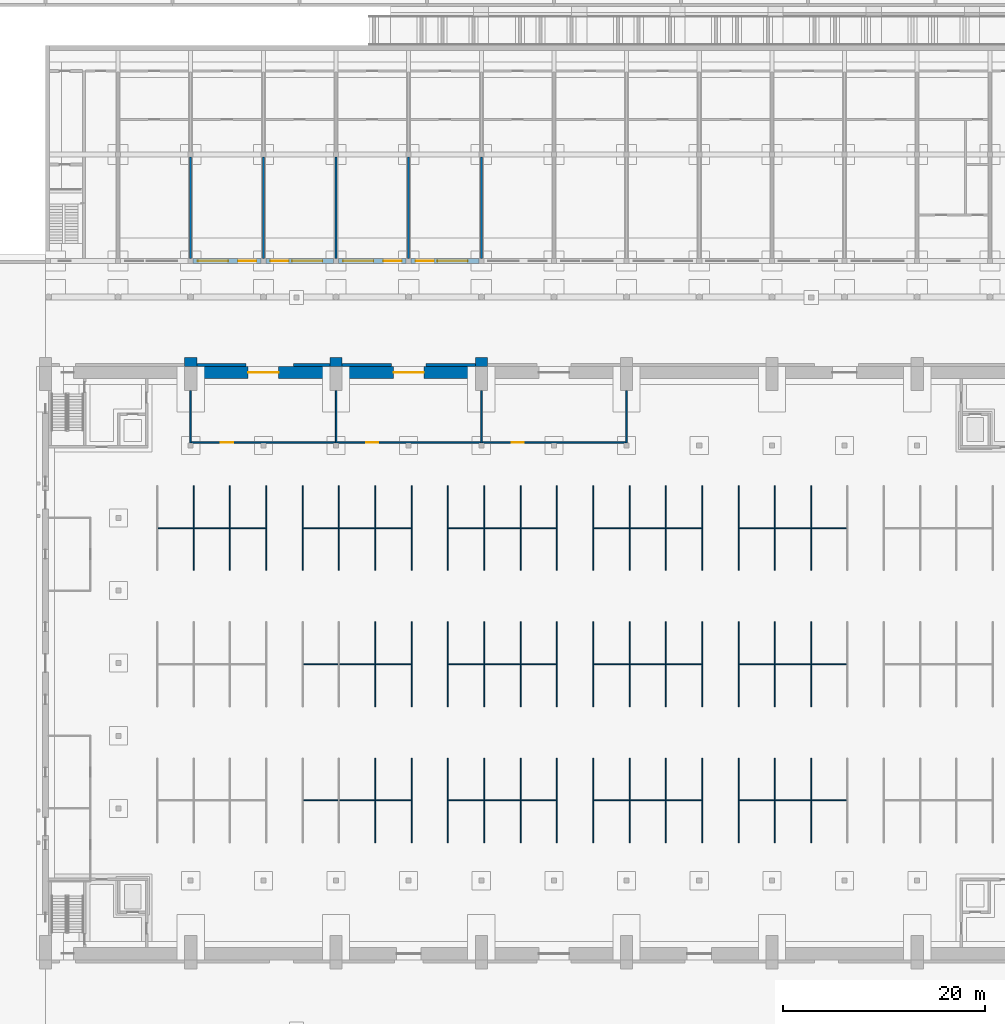
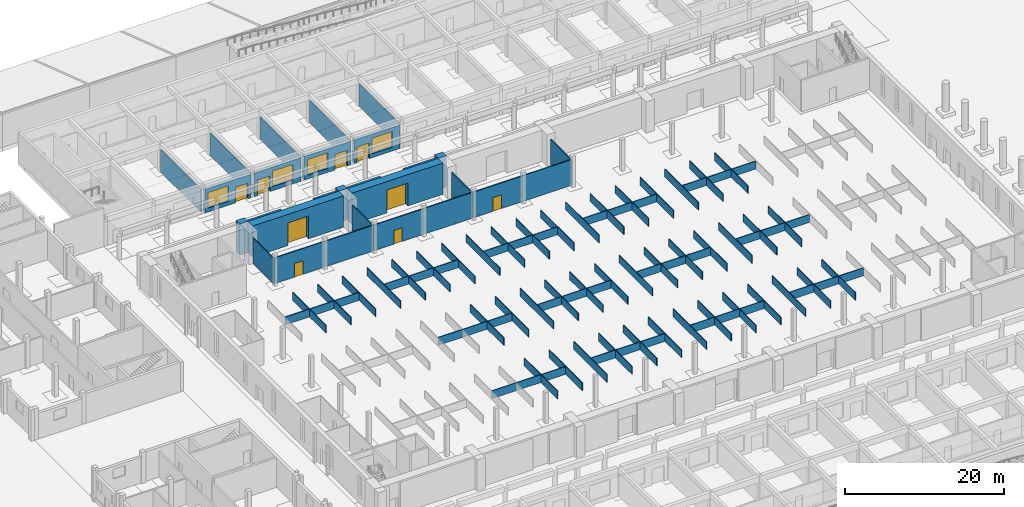
# One storey, part 41 of 73: 82 walls, 9 doors, 4 windows, 13 openings.
"""IFC4 building model written with IfcOpenShell, lengths in metres."""

from ifc_helpers import new_model, si_unit, direction, frame, frame_2d, origin, place, context, subcontext, project, spatial, rectangle, extrude, material, layer, layer_set, type_object, element, fill, save


model = new_model("IFC4")

# Units and contexts
model_context = context("Model", 3, precision=1e-05, world=origin(), true_north=direction((0.0, 1.0)))
body_context = subcontext(model_context, "Body", "Model", "MODEL_VIEW")
ifc_project = project(units=[si_unit("LENGTHUNIT", "METRE"), si_unit("AREAUNIT", "SQUARE_METRE"), si_unit("VOLUMEUNIT", "CUBIC_METRE"), si_unit("PLANEANGLEUNIT", "RADIAN"), si_unit("MASSUNIT", "GRAM", prefix="KILO")], contexts=[model_context])

# Site, building, storey
site_placement = place(None, origin())
site = spatial("IfcSite", under=ifc_project, at=site_placement, CompositionType="ELEMENT")
building_placement = place(site_placement, origin())
building = spatial("IfcBuilding", under=site, at=building_placement, Name="Alderwick Market Hall", CompositionType="ELEMENT")
storey_placement = place(building_placement, origin())
storey = spatial("IfcBuildingStorey", under=building, at=storey_placement, Name="LG", CompositionType="ELEMENT", Elevation=0.0)

# Wall, openings, door, window
ifc_material_1 = material(Name="Cast stone 5000 psi", Category="masonry")
ifc_layer_1 = layer(ifc_material_1, 0.5)
ifc_layer_set_1 = layer_set([ifc_layer_1], Name="Cast stone 5000 psi")
wall_type_1 = type_object("IfcWallType", Name="A Cast Stone Shopfront Wall 500", PredefinedType="SOLIDWALL", material=ifc_layer_set_1)
wall_1_placement = place(storey_placement, frame((65.050048828125, 119.050048828125, 0.0), z_axis=(0.0, 0.0, 1.0), x_axis=(1.0, 0.0, 0.0)))
wall_1 = element("IfcWall", 1, at=wall_1_placement, inside=storey, type_object=wall_type_1, Name="A.N.wall.002", PredefinedType="SOLIDWALL", context=body_context, shape_type="SweptSolid", body=[
    extrude(rectangle(XDim=6.699951171875, YDim=0.5, at=frame_2d((3.35009765625, 0.0))), origin(), (0.0, 0.0, 1.0), 3.60009765625),
])
opening_1_placement = place(wall_1_placement, frame((4.449951171875, 0.0, 0.0)))
opening_1 = element("IfcOpeningElement", 2, at=opening_1_placement, cuts=wall_1, Name="Opening A-D004", PredefinedType="OPENING", context=body_context, shape_type="SweptSolid", body=[
    extrude(rectangle(XDim=1.800048828125, YDim=2.39990234375, at=frame_2d((0.89990234375, 1.199951171875))), frame((0.0, 0.260009765625, 0.0), z_axis=(0.0, -1.0, 0.0), x_axis=(1.0, 0.0, 0.0)), (0.0, 0.0, 1.0), 0.52001953125),
])
opening_2_placement = place(wall_1_placement, frame((0.449951171875, 0.0, 0.60009765625)))
opening_2 = element("IfcOpeningElement", 3, at=opening_2_placement, cuts=wall_1, Name="Opening A-W002", PredefinedType="OPENING", context=body_context, shape_type="SweptSolid", body=[
    extrude(rectangle(XDim=3.0, YDim=2.39990234375, at=frame_2d((1.5, 1.199951171875))), frame((0.0, 0.260009765625, 0.0), z_axis=(0.0, -1.0, 0.0), x_axis=(1.0, 0.0, 0.0)), (0.0, 0.0, 1.0), 0.52001953125),
])
ifc_material_2 = material(Name="Aluminium frame and glass", Category="aluminium")
door_type_1 = type_object("IfcDoorType", Name="A Shop Double Door 1800x2400", OperationType="DOUBLE_DOOR_DOUBLE_SWING", PredefinedType="DOOR", material=ifc_material_2)
door_1_placement = place(opening_1_placement, origin())
door_1 = element("IfcDoor", 4, at=door_1_placement, inside=storey, type_object=door_type_1, Name="Delicatessen Shop entrance", OperationType="DOUBLE_DOOR_DOUBLE_SWING", OverallHeight=2.39990234375, OverallWidth=1.800048828125, PredefinedType="DOOR", context=body_context, shape_type="SweptSolid", body=[
    extrude(rectangle(XDim=1.800048828125, YDim=2.39990234375, at=frame_2d((0.89990234375, 1.199951171875))), frame((0.0, 0.02490234375, 0.0), z_axis=(0.0, -1.0, 0.0), x_axis=(1.0, 0.0, 0.0)), (0.0, 0.0, 1.0), 0.050048828125),
])
fill(opening_1, door_1)
ifc_material_3 = material(Name="Aluminium frame", Category="aluminium")
window_type = type_object("IfcWindowType", Name="A Shopfront Window 3000x2400", PartitioningType="SINGLE_PANEL", PredefinedType="WINDOW", material=ifc_material_3)
window_1_placement = place(opening_2_placement, origin())
window_1 = element("IfcWindow", 5, at=window_1_placement, inside=storey, type_object=window_type, Name="Window A-W002", OverallHeight=2.39990234375, OverallWidth=3.0, PartitioningType="SINGLE_PANEL", PredefinedType="WINDOW", context=body_context, shape_type="SweptSolid", body=[
    extrude(rectangle(XDim=3.0, YDim=2.39990234375, at=frame_2d((1.5, 1.199951171875))), frame((0.0, 0.030029296875, 0.0), z_axis=(0.0, -1.0, 0.0), x_axis=(1.0, 0.0, 0.0)), (0.0, 0.0, 1.0), 0.06005859375),
])
fill(opening_2, window_1)

wall_2_placement = place(storey_placement, frame((72.25, 119.050048828125, 0.0), z_axis=(0.0, 0.0, 1.0), x_axis=(1.0, 0.0, 0.0)))
wall_2 = element("IfcWall", 6, at=wall_2_placement, inside=storey, type_object=wall_type_1, Name="A.N.wall.003", PredefinedType="SOLIDWALL", context=body_context, shape_type="SweptSolid", body=[
    extrude(rectangle(XDim=6.699951171875, YDim=0.5, at=frame_2d((3.35009765625, 0.0))), origin(), (0.0, 0.0, 1.0), 3.60009765625),
])
opening_3_placement = place(wall_2_placement, frame((0.449951171875, 0.0, 0.0)))
opening_3 = element("IfcOpeningElement", 7, at=opening_3_placement, cuts=wall_2, Name="Opening A-D005", PredefinedType="OPENING", context=body_context, shape_type="SweptSolid", body=[
    extrude(rectangle(XDim=1.800048828125, YDim=2.39990234375, at=frame_2d((0.89990234375, 1.199951171875))), frame((0.0, 0.260009765625, 0.0), z_axis=(0.0, -1.0, 0.0), x_axis=(1.0, 0.0, 0.0)), (0.0, 0.0, 1.0), 0.52001953125),
])
opening_4_placement = place(wall_2_placement, frame((2.60009765625, 0.0, 0.60009765625)))
opening_4 = element("IfcOpeningElement", 8, at=opening_4_placement, cuts=wall_2, Name="Opening A-W003", PredefinedType="OPENING", context=body_context, shape_type="SweptSolid", body=[
    extrude(rectangle(XDim=3.0, YDim=2.39990234375, at=frame_2d((1.5, 1.199951171875))), frame((0.0, 0.260009765625, 0.0), z_axis=(0.0, -1.0, 0.0), x_axis=(1.0, 0.0, 0.0)), (0.0, 0.0, 1.0), 0.52001953125),
])
door_2_placement = place(opening_3_placement, origin())
door_2 = element("IfcDoor", 9, at=door_2_placement, inside=storey, type_object=door_type_1, Name="Kitchenware Shop entrance", OperationType="DOUBLE_DOOR_DOUBLE_SWING", OverallHeight=2.39990234375, OverallWidth=1.800048828125, PredefinedType="DOOR", context=body_context, shape_type="SweptSolid", body=[
    extrude(rectangle(XDim=1.800048828125, YDim=2.39990234375, at=frame_2d((0.89990234375, 1.199951171875))), frame((0.0, 0.02490234375, 0.0), z_axis=(0.0, -1.0, 0.0), x_axis=(1.0, 0.0, 0.0)), (0.0, 0.0, 1.0), 0.050048828125),
])
fill(opening_3, door_2)
window_2_placement = place(opening_4_placement, origin())
window_2 = element("IfcWindow", 10, at=window_2_placement, inside=storey, type_object=window_type, Name="Window A-W003", OverallHeight=2.39990234375, OverallWidth=3.0, PartitioningType="SINGLE_PANEL", PredefinedType="WINDOW", context=body_context, shape_type="SweptSolid", body=[
    extrude(rectangle(XDim=3.0, YDim=2.39990234375, at=frame_2d((1.5, 1.199951171875))), frame((0.0, 0.030029296875, 0.0), z_axis=(0.0, -1.0, 0.0), x_axis=(1.0, 0.0, 0.0)), (0.0, 0.0, 1.0), 0.06005859375),
])
fill(opening_4, window_2)

wall_3_placement = place(storey_placement, frame((79.449951171875, 119.050048828125, 0.0), z_axis=(0.0, 0.0, 1.0), x_axis=(1.0, 0.0, 0.0)))
wall_3 = element("IfcWall", 11, at=wall_3_placement, inside=storey, type_object=wall_type_1, Name="A.N.wall.004", PredefinedType="SOLIDWALL", context=body_context, shape_type="SweptSolid", body=[
    extrude(rectangle(XDim=6.699951171875, YDim=0.5, at=frame_2d((3.35009765625, 0.0))), origin(), (0.0, 0.0, 1.0), 3.60009765625),
])
opening_5_placement = place(wall_3_placement, frame((4.449951171875, 0.0, 0.0)))
opening_5 = element("IfcOpeningElement", 12, at=opening_5_placement, cuts=wall_3, Name="Opening A-D006", PredefinedType="OPENING", context=body_context, shape_type="SweptSolid", body=[
    extrude(rectangle(XDim=1.800048828125, YDim=2.39990234375, at=frame_2d((0.89990234375, 1.199951171875))), frame((0.0, 0.260009765625, 0.0), z_axis=(0.0, -1.0, 0.0), x_axis=(1.0, 0.0, 0.0)), (0.0, 0.0, 1.0), 0.52001953125),
])
opening_6_placement = place(wall_3_placement, frame((0.449951171875, 0.0, 0.60009765625)))
opening_6 = element("IfcOpeningElement", 13, at=opening_6_placement, cuts=wall_3, Name="Opening A-W004", PredefinedType="OPENING", context=body_context, shape_type="SweptSolid", body=[
    extrude(rectangle(XDim=3.0, YDim=2.39990234375, at=frame_2d((1.5, 1.199951171875))), frame((0.0, 0.260009765625, 0.0), z_axis=(0.0, -1.0, 0.0), x_axis=(1.0, 0.0, 0.0)), (0.0, 0.0, 1.0), 0.52001953125),
])
door_3_placement = place(opening_5_placement, origin())
door_3 = element("IfcDoor", 14, at=door_3_placement, inside=storey, type_object=door_type_1, Name="Bookshop entrance", OperationType="DOUBLE_DOOR_DOUBLE_SWING", OverallHeight=2.39990234375, OverallWidth=1.800048828125, PredefinedType="DOOR", context=body_context, shape_type="SweptSolid", body=[
    extrude(rectangle(XDim=1.800048828125, YDim=2.39990234375, at=frame_2d((0.89990234375, 1.199951171875))), frame((0.0, 0.02490234375, 0.0), z_axis=(0.0, -1.0, 0.0), x_axis=(1.0, 0.0, 0.0)), (0.0, 0.0, 1.0), 0.050048828125),
])
fill(opening_5, door_3)
window_3_placement = place(opening_6_placement, origin())
window_3 = element("IfcWindow", 15, at=window_3_placement, inside=storey, type_object=window_type, Name="Window A-W004", OverallHeight=2.39990234375, OverallWidth=3.0, PartitioningType="SINGLE_PANEL", PredefinedType="WINDOW", context=body_context, shape_type="SweptSolid", body=[
    extrude(rectangle(XDim=3.0, YDim=2.39990234375, at=frame_2d((1.5, 1.199951171875))), frame((0.0, 0.030029296875, 0.0), z_axis=(0.0, -1.0, 0.0), x_axis=(1.0, 0.0, 0.0)), (0.0, 0.0, 1.0), 0.06005859375),
])
fill(opening_6, window_3)

wall_4_placement = place(storey_placement, frame((86.64990234375, 119.050048828125, 0.0), z_axis=(0.0, 0.0, 1.0), x_axis=(1.0, 0.0, 0.0)))
wall_4 = element("IfcWall", 16, at=wall_4_placement, inside=storey, type_object=wall_type_1, Name="A.N.wall.005", PredefinedType="SOLIDWALL", context=body_context, shape_type="SweptSolid", body=[
    extrude(rectangle(XDim=6.7001953125, YDim=0.5, at=frame_2d((3.35009765625, 0.0))), origin(), (0.0, 0.0, 1.0), 3.60009765625),
])
opening_7_placement = place(wall_4_placement, frame((0.449951171875, 0.0, 0.0)))
opening_7 = element("IfcOpeningElement", 17, at=opening_7_placement, cuts=wall_4, Name="Opening A-D007", PredefinedType="OPENING", context=body_context, shape_type="SweptSolid", body=[
    extrude(rectangle(XDim=1.800048828125, YDim=2.39990234375, at=frame_2d((0.89990234375, 1.199951171875))), frame((0.0, 0.260009765625, 0.0), z_axis=(0.0, -1.0, 0.0), x_axis=(1.0, 0.0, 0.0)), (0.0, 0.0, 1.0), 0.52001953125),
])
opening_8_placement = place(wall_4_placement, frame((2.60009765625, 0.0, 0.60009765625)))
opening_8 = element("IfcOpeningElement", 18, at=opening_8_placement, cuts=wall_4, Name="Opening A-W005", PredefinedType="OPENING", context=body_context, shape_type="SweptSolid", body=[
    extrude(rectangle(XDim=3.0, YDim=2.39990234375, at=frame_2d((1.5, 1.199951171875))), frame((0.0, 0.260009765625, 0.0), z_axis=(0.0, -1.0, 0.0), x_axis=(1.0, 0.0, 0.0)), (0.0, 0.0, 1.0), 0.52001953125),
])
door_4_placement = place(opening_7_placement, origin())
door_4 = element("IfcDoor", 19, at=door_4_placement, inside=storey, type_object=door_type_1, Name="Florist Shop entrance", OperationType="DOUBLE_DOOR_DOUBLE_SWING", OverallHeight=2.39990234375, OverallWidth=1.800048828125, PredefinedType="DOOR", context=body_context, shape_type="SweptSolid", body=[
    extrude(rectangle(XDim=1.800048828125, YDim=2.39990234375, at=frame_2d((0.89990234375, 1.199951171875))), frame((0.0, 0.02490234375, 0.0), z_axis=(0.0, -1.0, 0.0), x_axis=(1.0, 0.0, 0.0)), (0.0, 0.0, 1.0), 0.050048828125),
])
fill(opening_7, door_4)
window_4_placement = place(opening_8_placement, origin())
window_4 = element("IfcWindow", 20, at=window_4_placement, inside=storey, type_object=window_type, Name="Window A-W005", OverallHeight=2.39990234375, OverallWidth=3.0, PartitioningType="SINGLE_PANEL", PredefinedType="WINDOW", context=body_context, shape_type="SweptSolid", body=[
    extrude(rectangle(XDim=3.0, YDim=2.39990234375, at=frame_2d((1.5, 1.199951171875))), frame((0.0, 0.030029296875, 0.0), z_axis=(0.0, -1.0, 0.0), x_axis=(1.0, 0.0, 0.0)), (0.0, 0.0, 1.0), 0.06005859375),
])
fill(opening_8, window_4)

# Walls
ifc_material_4 = material(Name="Concrete masonry 3000 psi", Category="masonry")
ifc_layer_2 = layer(ifc_material_4, 0.199951171875)
ifc_layer_set_2 = layer_set([ifc_layer_2], Name="Concrete masonry 3000 psi")
wall_type_2 = type_object("IfcWallType", Name="A Masonry Partition 200", PredefinedType="PARTITIONING", material=ifc_layer_set_2)
for number, where, z_axis, x_axis, name in (
    (21, (64.800048828125, 119.300048828125, 0.0), (0.0, 0.0, 1.0), (0.0, 1.0, 0.0), "A.N.wall.027"),
    (22, (72.0, 119.300048828125, 0.0), (0.0, 0.0, 1.0), (0.0, 1.0, 0.0), "A.N.wall.029"),
    (23, (79.199951171875, 119.300048828125, 0.0), (0.0, 0.0, 1.0), (0.0, 1.0, 0.0), "A.N.wall.031"),
    (24, (86.39990234375, 119.300048828125, 0.0), (0.0, 0.0, 1.0), (0.0, 1.0, 0.0), "A.N.wall.033"),
    (25, (93.60009765625, 119.300048828125, 0.0), (0.0, 0.0, 1.0), (0.0, 1.0, 0.0), "A.N.wall.035"),
):
    element("IfcWall", number, at=place(storey_placement, frame(where, z_axis=z_axis, x_axis=x_axis)), inside=storey, type_object=wall_type_2, Name=name, PredefinedType="PARTITIONING", context=body_context, shape_type="SweptSolid", body=[
        extrude(rectangle(XDim=10.050048828125, YDim=0.199951171875, at=frame_2d((5.02490234375, 0.0))), origin(), (0.0, 0.0, 1.0), 3.5),
    ])
ifc_material_5 = material(Name="Cast stone 5000 psi (f'c 35 MPa), ASTM C1364", Category="masonry")
ifc_layer_3 = layer(ifc_material_5, 0.300048828125)
ifc_layer_set_3 = layer_set([ifc_layer_3], Name="Cast stone 5000 psi (f'c 35 MPa), ASTM C1364")
wall_type_3 = type_object("IfcWallType", Name="H Base course 300", PredefinedType="SOLIDWALL", material=ifc_layer_set_3)
wall_5_placement = place(storey_placement, frame((65.39990234375, 108.75, 0.0), z_axis=(0.0, 0.0, 1.0), x_axis=(1.0, 0.0, 0.0)))
element("IfcWall", 26, at=wall_5_placement, inside=storey, type_object=wall_type_3, Name="Base course N2 plinth", PredefinedType="SOLIDWALL", context=body_context, shape_type="SweptSolid", body=[
    extrude(rectangle(XDim=4.900146484375, YDim=0.300048828125, at=frame_2d((2.4501953125, 0.0))), origin(), (0.0, 0.0, 1.0), 4.800048828125),
])
wall_6_placement = place(storey_placement, frame((75.0, 108.75, 0.0), z_axis=(0.0, 0.0, 1.0), x_axis=(1.0, 0.0, 0.0)))
element("IfcWall", 27, at=wall_6_placement, inside=storey, type_object=wall_type_3, Name="Base course N2 plinth", PredefinedType="SOLIDWALL", context=body_context, shape_type="SweptSolid", body=[
    extrude(rectangle(XDim=3.60009765625, YDim=0.300048828125, at=frame_2d((1.800048828125, 0.0))), origin(), (0.0, 0.0, 1.0), 4.800048828125),
])
for number, where, z_axis, x_axis, name in (
    (28, (79.800048828125, 108.75, 0.0), (0.0, 0.0, 1.0), (1.0, 0.0, 0.0), "Base course N3 plinth"),
    (29, (88.10009765625, 108.75, 0.0), (0.0, 0.0, 1.0), (1.0, 0.0, 0.0), "Base course N3 plinth"),
):
    element("IfcWall", number, at=place(storey_placement, frame(where, z_axis=z_axis, x_axis=x_axis)), inside=storey, type_object=wall_type_3, Name=name, PredefinedType="SOLIDWALL", context=body_context, shape_type="SweptSolid", body=[
        extrude(rectangle(XDim=4.89990234375, YDim=0.300048828125, at=frame_2d((2.449951171875, 0.0))), origin(), (0.0, 0.0, 1.0), 4.800048828125),
    ])
ifc_material_6 = material(Name="Face brick masonry, ASTM C216 grade SW (f'm 17 MPa)", Category="masonry")
ifc_layer_4 = layer(ifc_material_6, 0.89990234375)
ifc_layer_set_4 = layer_set([ifc_layer_4], Name="Face brick masonry, ASTM C216 grade SW (f'm 17 MPa)")
wall_type_4 = type_object("IfcWallType", Name="H Buttress pier 900", PredefinedType="SOLIDWALL", material=ifc_layer_set_4)
for number, where, z_axis, x_axis, name in (
    (30, (64.199951171875, 109.050048828125, 0.0), (0.0, 0.0, 1.0), (1.0, 0.0, 0.0), "Buttress pier N2"),
    (31, (78.60009765625, 109.050048828125, 0.0), (0.0, 0.0, 1.0), (1.0, 0.0, 0.0), "Buttress pier N3"),
    (32, (93.0, 109.050048828125, 0.0), (0.0, 0.0, 1.0), (1.0, 0.0, 0.0), "Buttress pier N4"),
):
    element("IfcWall", number, at=place(storey_placement, frame(where, z_axis=z_axis, x_axis=x_axis)), inside=storey, type_object=wall_type_4, Name=name, PredefinedType="SOLIDWALL", context=body_context, shape_type="SweptSolid", body=[
        extrude(rectangle(XDim=1.199951171875, YDim=0.89990234375, at=frame_2d((0.60009765625, 0.0))), origin(), (0.0, 0.0, 1.0), 4.800048828125),
    ])
ifc_material_7 = material(Name="Insulated metal panel")
ifc_layer_5 = layer(ifc_material_7, 0.14990234375)
ifc_layer_set_5 = layer_set([ifc_layer_5], Name="Insulated metal panel")
wall_type_5 = type_object("IfcWallType", Name="H Cold store wall 150", PredefinedType="PARTITIONING", material=ifc_layer_set_5)
for number, where, z_axis, x_axis, name in (
    (33, (64.800048828125, 106.199951171875, 0.0), (0.0, 0.0, 1.0), (0.0, -1.0, 0.0), "Partition"),
    (34, (79.199951171875, 106.199951171875, 0.0), (0.0, 0.0, 1.0), (0.0, -1.0, 0.0), "Partition"),
    (35, (93.60009765625, 106.199951171875, 0.0), (0.0, 0.0, 1.0), (0.0, -1.0, 0.0), "Partition"),
    (36, (108.0, 106.199951171875, 0.0), (0.0, 0.0, 1.0), (0.0, -1.0, 0.0), "Partition"),
):
    element("IfcWall", number, at=place(storey_placement, frame(where, z_axis=z_axis, x_axis=x_axis)), inside=storey, type_object=wall_type_5, Name=name, PredefinedType="PARTITIONING", context=body_context, shape_type="SweptSolid", body=[
        extrude(rectangle(XDim=5.18994140625, YDim=0.14990234375, at=frame_2d((2.594970703125, 0.0))), origin(), (0.0, 0.0, 1.0), 3.949951171875),
    ])

# Wall, opening, door
wall_7_placement = place(storey_placement, frame((64.875, 101.0849609375, 0.0), z_axis=(0.0, 0.0, 1.0), x_axis=(1.0, 0.0, 0.0)))
wall_7 = element("IfcWall", 37, at=wall_7_placement, inside=storey, type_object=wall_type_5, Name="Partition", PredefinedType="PARTITIONING", context=body_context, shape_type="SweptSolid", body=[
    extrude(rectangle(XDim=14.25, YDim=0.14990234375, at=frame_2d((7.125, 0.0))), origin(), (0.0, 0.0, 1.0), 3.949951171875),
])
opening_9_placement = place(wall_7_placement, frame((2.925048828125, 0.0, 0.0)))
opening_9 = element("IfcOpeningElement", 38, at=opening_9_placement, cuts=wall_7, Name="Opening H-D054", PredefinedType="OPENING", context=body_context, shape_type="SweptSolid", body=[
    extrude(rectangle(XDim=1.199951171875, YDim=2.10009765625, at=frame_2d((0.60009765625, 1.050048828125))), frame((0.0, 0.0849609375, 0.0), z_axis=(0.0, -1.0, 0.0), x_axis=(1.0, 0.0, 0.0)), (0.0, 0.0, 1.0), 0.169921875),
])
ifc_material_8 = material(Name="Insulated steel", Category="steel")
door_type_2 = type_object("IfcDoorType", Name="H Cold store door 1200x2100", OperationType="SINGLE_SWING_LEFT", PredefinedType="DOOR", material=ifc_material_8)
door_5_placement = place(opening_9_placement, origin())
door_5 = element("IfcDoor", 39, at=door_5_placement, inside=storey, type_object=door_type_2, Name="Door H-D054", OperationType="SINGLE_SWING_LEFT", OverallHeight=2.10009765625, OverallWidth=1.199951171875, PredefinedType="DOOR", context=body_context, shape_type="SweptSolid", body=[
    extrude(rectangle(XDim=1.199951171875, YDim=2.10009765625, at=frame_2d((0.60009765625, 1.050048828125))), frame((0.0, 0.02490234375, 0.0), z_axis=(0.0, -1.0, 0.0), x_axis=(1.0, 0.0, 0.0)), (0.0, 0.0, 1.0), 0.050048828125),
])
fill(opening_9, door_5)

wall_8_placement = place(storey_placement, frame((79.27490234375, 101.0849609375, 0.0), z_axis=(0.0, 0.0, 1.0), x_axis=(1.0, 0.0, 0.0)))
wall_8 = element("IfcWall", 40, at=wall_8_placement, inside=storey, type_object=wall_type_5, Name="Partition", PredefinedType="PARTITIONING", context=body_context, shape_type="SweptSolid", body=[
    extrude(rectangle(XDim=14.25, YDim=0.14990234375, at=frame_2d((7.125, 0.0))), origin(), (0.0, 0.0, 1.0), 3.949951171875),
])
opening_10_placement = place(wall_8_placement, frame((2.925048828125, 0.0, 0.0)))
opening_10 = element("IfcOpeningElement", 41, at=opening_10_placement, cuts=wall_8, Name="Opening H-D055", PredefinedType="OPENING", context=body_context, shape_type="SweptSolid", body=[
    extrude(rectangle(XDim=1.199951171875, YDim=2.10009765625, at=frame_2d((0.60009765625, 1.050048828125))), frame((0.0, 0.0849609375, 0.0), z_axis=(0.0, -1.0, 0.0), x_axis=(1.0, 0.0, 0.0)), (0.0, 0.0, 1.0), 0.169921875),
])
door_6_placement = place(opening_10_placement, origin())
door_6 = element("IfcDoor", 42, at=door_6_placement, inside=storey, type_object=door_type_2, Name="Door H-D055", OperationType="SINGLE_SWING_LEFT", OverallHeight=2.10009765625, OverallWidth=1.199951171875, PredefinedType="DOOR", context=body_context, shape_type="SweptSolid", body=[
    extrude(rectangle(XDim=1.199951171875, YDim=2.10009765625, at=frame_2d((0.60009765625, 1.050048828125))), frame((0.0, 0.02490234375, 0.0), z_axis=(0.0, -1.0, 0.0), x_axis=(1.0, 0.0, 0.0)), (0.0, 0.0, 1.0), 0.050048828125),
])
fill(opening_10, door_6)

wall_9_placement = place(storey_placement, frame((93.675048828125, 101.0849609375, 0.0), z_axis=(0.0, 0.0, 1.0), x_axis=(1.0, 0.0, 0.0)))
wall_9 = element("IfcWall", 43, at=wall_9_placement, inside=storey, type_object=wall_type_5, Name="Partition", PredefinedType="PARTITIONING", context=body_context, shape_type="SweptSolid", body=[
    extrude(rectangle(XDim=14.25, YDim=0.14990234375, at=frame_2d((7.125, 0.0))), origin(), (0.0, 0.0, 1.0), 3.949951171875),
])
opening_11_placement = place(wall_9_placement, frame((2.925048828125, 0.0, 0.0)))
opening_11 = element("IfcOpeningElement", 44, at=opening_11_placement, cuts=wall_9, Name="Opening H-D056", PredefinedType="OPENING", context=body_context, shape_type="SweptSolid", body=[
    extrude(rectangle(XDim=1.199951171875, YDim=2.10009765625, at=frame_2d((0.60009765625, 1.050048828125))), frame((0.0, 0.0849609375, 0.0), z_axis=(0.0, -1.0, 0.0), x_axis=(1.0, 0.0, 0.0)), (0.0, 0.0, 1.0), 0.169921875),
])
door_7_placement = place(opening_11_placement, origin())
door_7 = element("IfcDoor", 45, at=door_7_placement, inside=storey, type_object=door_type_2, Name="Door H-D056", OperationType="SINGLE_SWING_LEFT", OverallHeight=2.10009765625, OverallWidth=1.199951171875, PredefinedType="DOOR", context=body_context, shape_type="SweptSolid", body=[
    extrude(rectangle(XDim=1.199951171875, YDim=2.10009765625, at=frame_2d((0.60009765625, 1.050048828125))), frame((0.0, 0.02490234375, 0.0), z_axis=(0.0, -1.0, 0.0), x_axis=(1.0, 0.0, 0.0)), (0.0, 0.0, 1.0), 0.050048828125),
])
fill(opening_11, door_7)

ifc_material_9 = material(Name="Concrete 5000 psi (f'c 35 MPa)", Category="concrete")
ifc_layer_6 = layer(ifc_material_9, 1.199951171875)
ifc_layer_set_6 = layer_set([ifc_layer_6], Name="Concrete 5000 psi (f'c 35 MPa)")
wall_type_6 = type_object("IfcWallType", Name="H Long wall 1200", PredefinedType="SOLIDWALL", material=ifc_layer_set_6)
wall_10_placement = place(storey_placement, frame((65.39990234375, 108.0, 0.0), z_axis=(0.0, 0.0, 1.0), x_axis=(1.0, 0.0, 0.0)))
wall_10 = element("IfcWall", 46, at=wall_10_placement, inside=storey, type_object=wall_type_6, Name="Long wall N LG 2", PredefinedType="SOLIDWALL", context=body_context, shape_type="SweptSolid", body=[
    extrude(rectangle(XDim=13.2001953125, YDim=1.199951171875, at=frame_2d((6.60009765625, 0.0))), origin(), (0.0, 0.0, 1.0), 4.800048828125),
])
opening_12_placement = place(wall_10_placement, frame((5.10009765625, 0.0, 0.0)))
opening_12 = element("IfcOpeningElement", 47, at=opening_12_placement, cuts=wall_10, Name="Opening H-D007", PredefinedType="OPENING", context=body_context, shape_type="SweptSolid", body=[
    extrude(rectangle(XDim=3.0, YDim=3.5, at=frame_2d((1.5, 1.75))), frame((0.0, 0.60986328125, 0.0), z_axis=(0.0, -1.0, 0.0), x_axis=(1.0, 0.0, 0.0)), (0.0, 0.0, 1.0), 1.219970703125),
])
ifc_material_10 = material(Name="Insulated steel roller shutter", Category="steel")
door_type_3 = type_object("IfcDoorType", Name="H Roller door 3000x3500", OperationType="ROLLINGUP", PredefinedType="DOOR", material=ifc_material_10)
door_8_placement = place(opening_12_placement, origin())
door_8 = element("IfcDoor", 48, at=door_8_placement, inside=storey, type_object=door_type_3, Name="Door H-D007", OperationType="ROLLINGUP", OverallHeight=3.5, OverallWidth=3.0, PredefinedType="DOOR", context=body_context, shape_type="SweptSolid", body=[
    extrude(rectangle(XDim=3.0, YDim=3.5, at=frame_2d((1.5, 1.75))), frame((0.0, 0.02490234375, 0.0), z_axis=(0.0, -1.0, 0.0), x_axis=(1.0, 0.0, 0.0)), (0.0, 0.0, 1.0), 0.050048828125),
])
fill(opening_12, door_8)

wall_11_placement = place(storey_placement, frame((79.800048828125, 108.0, 0.0), z_axis=(0.0, 0.0, 1.0), x_axis=(1.0, 0.0, 0.0)))
wall_11 = element("IfcWall", 49, at=wall_11_placement, inside=storey, type_object=wall_type_6, Name="Long wall N LG 3", PredefinedType="SOLIDWALL", context=body_context, shape_type="SweptSolid", body=[
    extrude(rectangle(XDim=13.199951171875, YDim=1.199951171875, at=frame_2d((6.60009765625, 0.0))), origin(), (0.0, 0.0, 1.0), 4.800048828125),
])
opening_13_placement = place(wall_11_placement, frame((5.10009765625, 0.0, 0.0)))
opening_13 = element("IfcOpeningElement", 50, at=opening_13_placement, cuts=wall_11, Name="Opening H-D008", PredefinedType="OPENING", context=body_context, shape_type="SweptSolid", body=[
    extrude(rectangle(XDim=3.0, YDim=3.5, at=frame_2d((1.5, 1.75))), frame((0.0, 0.60986328125, 0.0), z_axis=(0.0, -1.0, 0.0), x_axis=(1.0, 0.0, 0.0)), (0.0, 0.0, 1.0), 1.219970703125),
])
door_9_placement = place(opening_13_placement, origin())
door_9 = element("IfcDoor", 51, at=door_9_placement, inside=storey, type_object=door_type_3, Name="Door H-D008", OperationType="ROLLINGUP", OverallHeight=3.5, OverallWidth=3.0, PredefinedType="DOOR", context=body_context, shape_type="SweptSolid", body=[
    extrude(rectangle(XDim=3.0, YDim=3.5, at=frame_2d((1.5, 1.75))), frame((0.0, 0.02490234375, 0.0), z_axis=(0.0, -1.0, 0.0), x_axis=(1.0, 0.0, 0.0)), (0.0, 0.0, 1.0), 0.050048828125),
])
fill(opening_13, door_9)

# Walls
ifc_material_11 = material(Name="Face brick", Category="masonry")
ifc_layer_7 = layer(ifc_material_11, 0.10009765625)
ifc_layer_set_7 = layer_set([ifc_layer_7], Name="Face brick")
wall_type_7 = type_object("IfcWallType", Name="H Stall counter 100", PredefinedType="PARTITIONING", material=ifc_layer_set_7)
for number, where, z_axis, x_axis, name in (
    (52, (83.090087890625, 61.389892578125, 0.0), (0.0, 0.0, 1.0), (0.0, 1.0, 0.0), "Stall counter"),
    (53, (86.68994140625, 61.389892578125, 0.0), (0.0, 0.0, 1.0), (0.0, 1.0, 0.0), "Stall counter"),
    (54, (90.2900390625, 61.389892578125, 0.0), (0.0, 0.0, 1.0), (0.0, 1.0, 0.0), "Stall counter"),
    (55, (93.889892578125, 61.389892578125, 0.0), (0.0, 0.0, 1.0), (0.0, 1.0, 0.0), "Stall counter"),
    (56, (97.489990234375, 61.389892578125, 0.0), (0.0, 0.0, 1.0), (0.0, 1.0, 0.0), "Stall counter"),
    (57, (101.090087890625, 61.389892578125, 0.0), (0.0, 0.0, 1.0), (0.0, 1.0, 0.0), "Stall counter"),
    (58, (104.68994140625, 61.389892578125, 0.0), (0.0, 0.0, 1.0), (0.0, 1.0, 0.0), "Stall counter"),
    (59, (108.2900390625, 61.389892578125, 0.0), (0.0, 0.0, 1.0), (0.0, 1.0, 0.0), "Stall counter"),
    (60, (111.889892578125, 61.389892578125, 0.0), (0.0, 0.0, 1.0), (0.0, 1.0, 0.0), "Stall counter"),
    (61, (115.489990234375, 61.389892578125, 0.0), (0.0, 0.0, 1.0), (0.0, 1.0, 0.0), "Stall counter"),
    (62, (119.090087890625, 61.389892578125, 0.0), (0.0, 0.0, 1.0), (0.0, 1.0, 0.0), "Stall counter"),
    (63, (122.68994140625, 61.389892578125, 0.0), (0.0, 0.0, 1.0), (0.0, 1.0, 0.0), "Stall counter"),
    (64, (126.2900390625, 61.389892578125, 0.0), (0.0, 0.0, 1.0), (0.0, 1.0, 0.0), "Stall counter"),
    (65, (83.090087890625, 74.889892578125, 0.0), (0.0, 0.0, 1.0), (0.0, 1.0, 0.0), "Stall counter"),
    (66, (86.68994140625, 74.889892578125, 0.0), (0.0, 0.0, 1.0), (0.0, 1.0, 0.0), "Stall counter"),
    (67, (90.2900390625, 74.889892578125, 0.0), (0.0, 0.0, 1.0), (0.0, 1.0, 0.0), "Stall counter"),
    (68, (93.889892578125, 74.889892578125, 0.0), (0.0, 0.0, 1.0), (0.0, 1.0, 0.0), "Stall counter"),
    (69, (97.489990234375, 74.889892578125, 0.0), (0.0, 0.0, 1.0), (0.0, 1.0, 0.0), "Stall counter"),
    (70, (101.090087890625, 74.889892578125, 0.0), (0.0, 0.0, 1.0), (0.0, 1.0, 0.0), "Stall counter"),
    (71, (104.68994140625, 74.889892578125, 0.0), (0.0, 0.0, 1.0), (0.0, 1.0, 0.0), "Stall counter"),
    (72, (108.2900390625, 74.889892578125, 0.0), (0.0, 0.0, 1.0), (0.0, 1.0, 0.0), "Stall counter"),
    (73, (111.889892578125, 74.889892578125, 0.0), (0.0, 0.0, 1.0), (0.0, 1.0, 0.0), "Stall counter"),
    (74, (115.489990234375, 74.889892578125, 0.0), (0.0, 0.0, 1.0), (0.0, 1.0, 0.0), "Stall counter"),
    (75, (119.090087890625, 74.889892578125, 0.0), (0.0, 0.0, 1.0), (0.0, 1.0, 0.0), "Stall counter"),
    (76, (122.68994140625, 74.889892578125, 0.0), (0.0, 0.0, 1.0), (0.0, 1.0, 0.0), "Stall counter"),
    (77, (126.2900390625, 74.889892578125, 0.0), (0.0, 0.0, 1.0), (0.0, 1.0, 0.0), "Stall counter"),
    (78, (65.090087890625, 88.389892578125, 0.0), (0.0, 0.0, 1.0), (0.0, 1.0, 0.0), "Stall counter"),
    (79, (68.68994140625, 88.389892578125, 0.0), (0.0, 0.0, 1.0), (0.0, 1.0, 0.0), "Stall counter"),
    (80, (72.2900390625, 88.389892578125, 0.0), (0.0, 0.0, 1.0), (0.0, 1.0, 0.0), "Stall counter"),
    (81, (75.889892578125, 88.389892578125, 0.0), (0.0, 0.0, 1.0), (0.0, 1.0, 0.0), "Stall counter"),
    (82, (79.489990234375, 88.389892578125, 0.0), (0.0, 0.0, 1.0), (0.0, 1.0, 0.0), "Stall counter"),
    (83, (83.090087890625, 88.389892578125, 0.0), (0.0, 0.0, 1.0), (0.0, 1.0, 0.0), "Stall counter"),
    (84, (86.68994140625, 88.389892578125, 0.0), (0.0, 0.0, 1.0), (0.0, 1.0, 0.0), "Stall counter"),
    (85, (90.2900390625, 88.389892578125, 0.0), (0.0, 0.0, 1.0), (0.0, 1.0, 0.0), "Stall counter"),
    (86, (93.889892578125, 88.389892578125, 0.0), (0.0, 0.0, 1.0), (0.0, 1.0, 0.0), "Stall counter"),
    (87, (97.489990234375, 88.389892578125, 0.0), (0.0, 0.0, 1.0), (0.0, 1.0, 0.0), "Stall counter"),
    (88, (101.090087890625, 88.389892578125, 0.0), (0.0, 0.0, 1.0), (0.0, 1.0, 0.0), "Stall counter"),
    (89, (104.68994140625, 88.389892578125, 0.0), (0.0, 0.0, 1.0), (0.0, 1.0, 0.0), "Stall counter"),
    (90, (108.2900390625, 88.389892578125, 0.0), (0.0, 0.0, 1.0), (0.0, 1.0, 0.0), "Stall counter"),
    (91, (111.889892578125, 88.389892578125, 0.0), (0.0, 0.0, 1.0), (0.0, 1.0, 0.0), "Stall counter"),
    (92, (115.489990234375, 88.389892578125, 0.0), (0.0, 0.0, 1.0), (0.0, 1.0, 0.0), "Stall counter"),
    (93, (119.090087890625, 88.389892578125, 0.0), (0.0, 0.0, 1.0), (0.0, 1.0, 0.0), "Stall counter"),
    (94, (122.68994140625, 88.389892578125, 0.0), (0.0, 0.0, 1.0), (0.0, 1.0, 0.0), "Stall counter"),
    (95, (126.2900390625, 88.389892578125, 0.0), (0.0, 0.0, 1.0), (0.0, 1.0, 0.0), "Stall counter"),
):
    element("IfcWall", number, at=place(storey_placement, frame(where, z_axis=z_axis, x_axis=x_axis)), inside=storey, type_object=wall_type_7, Name=name, PredefinedType="PARTITIONING", context=body_context, shape_type="SweptSolid", body=[
        extrude(rectangle(XDim=8.400146484375, YDim=0.10009765625, at=frame_2d((4.2001953125, 0.0))), origin(), (0.0, 0.0, 1.0), 1.199951171875),
    ])
for number, where, z_axis, x_axis, name in (
    (96, (75.93994140625, 65.590087890625, 0.0), (0.0, 0.0, 1.0), (1.0, 0.0, 0.0), "Stall counter"),
    (97, (90.340087890625, 65.590087890625, 0.0), (0.0, 0.0, 1.0), (1.0, 0.0, 0.0), "Stall counter"),
    (98, (104.739990234375, 65.590087890625, 0.0), (0.0, 0.0, 1.0), (1.0, 0.0, 0.0), "Stall counter"),
):
    element("IfcWall", number, at=place(storey_placement, frame(where, z_axis=z_axis, x_axis=x_axis)), inside=storey, type_object=wall_type_7, Name=name, PredefinedType="PARTITIONING", context=body_context, shape_type="SweptSolid", body=[
        extrude(rectangle(XDim=10.699951171875, YDim=0.10009765625, at=frame_2d((5.35009765625, 0.0))), origin(), (0.0, 0.0, 1.0), 1.199951171875),
    ])
wall_12_placement = place(storey_placement, frame((119.139892578125, 65.590087890625, 0.0), z_axis=(0.0, 0.0, 1.0), x_axis=(1.0, 0.0, 0.0)))
element("IfcWall", 99, at=wall_12_placement, inside=storey, type_object=wall_type_7, Name="Stall counter", PredefinedType="PARTITIONING", context=body_context, shape_type="SweptSolid", body=[
    extrude(rectangle(XDim=10.7001953125, YDim=0.10009765625, at=frame_2d((5.35009765625, 0.0))), origin(), (0.0, 0.0, 1.0), 1.199951171875),
])
for number, where, z_axis, x_axis, name in (
    (100, (75.93994140625, 79.090087890625, 0.0), (0.0, 0.0, 1.0), (1.0, 0.0, 0.0), "Stall counter"),
    (101, (90.340087890625, 79.090087890625, 0.0), (0.0, 0.0, 1.0), (1.0, 0.0, 0.0), "Stall counter"),
    (102, (104.739990234375, 79.090087890625, 0.0), (0.0, 0.0, 1.0), (1.0, 0.0, 0.0), "Stall counter"),
):
    element("IfcWall", number, at=place(storey_placement, frame(where, z_axis=z_axis, x_axis=x_axis)), inside=storey, type_object=wall_type_7, Name=name, PredefinedType="PARTITIONING", context=body_context, shape_type="SweptSolid", body=[
        extrude(rectangle(XDim=10.699951171875, YDim=0.10009765625, at=frame_2d((5.35009765625, 0.0))), origin(), (0.0, 0.0, 1.0), 1.199951171875),
    ])
wall_13_placement = place(storey_placement, frame((119.139892578125, 79.090087890625, 0.0), z_axis=(0.0, 0.0, 1.0), x_axis=(1.0, 0.0, 0.0)))
element("IfcWall", 103, at=wall_13_placement, inside=storey, type_object=wall_type_7, Name="Stall counter", PredefinedType="PARTITIONING", context=body_context, shape_type="SweptSolid", body=[
    extrude(rectangle(XDim=10.7001953125, YDim=0.10009765625, at=frame_2d((5.35009765625, 0.0))), origin(), (0.0, 0.0, 1.0), 1.199951171875),
])
for number, where, z_axis, x_axis, name in (
    (104, (61.5400390625, 92.590087890625, 0.0), (0.0, 0.0, 1.0), (1.0, 0.0, 0.0), "Stall counter"),
    (105, (75.93994140625, 92.590087890625, 0.0), (0.0, 0.0, 1.0), (1.0, 0.0, 0.0), "Stall counter"),
    (106, (90.340087890625, 92.590087890625, 0.0), (0.0, 0.0, 1.0), (1.0, 0.0, 0.0), "Stall counter"),
    (107, (104.739990234375, 92.590087890625, 0.0), (0.0, 0.0, 1.0), (1.0, 0.0, 0.0), "Stall counter"),
):
    element("IfcWall", number, at=place(storey_placement, frame(where, z_axis=z_axis, x_axis=x_axis)), inside=storey, type_object=wall_type_7, Name=name, PredefinedType="PARTITIONING", context=body_context, shape_type="SweptSolid", body=[
        extrude(rectangle(XDim=10.699951171875, YDim=0.10009765625, at=frame_2d((5.35009765625, 0.0))), origin(), (0.0, 0.0, 1.0), 1.199951171875),
    ])
wall_14_placement = place(storey_placement, frame((119.139892578125, 92.590087890625, 0.0), z_axis=(0.0, 0.0, 1.0), x_axis=(1.0, 0.0, 0.0)))
element("IfcWall", 108, at=wall_14_placement, inside=storey, type_object=wall_type_7, Name="Stall counter", PredefinedType="PARTITIONING", context=body_context, shape_type="SweptSolid", body=[
    extrude(rectangle(XDim=10.7001953125, YDim=0.10009765625, at=frame_2d((5.35009765625, 0.0))), origin(), (0.0, 0.0, 1.0), 1.199951171875),
])

save(model, "model.ifc")
